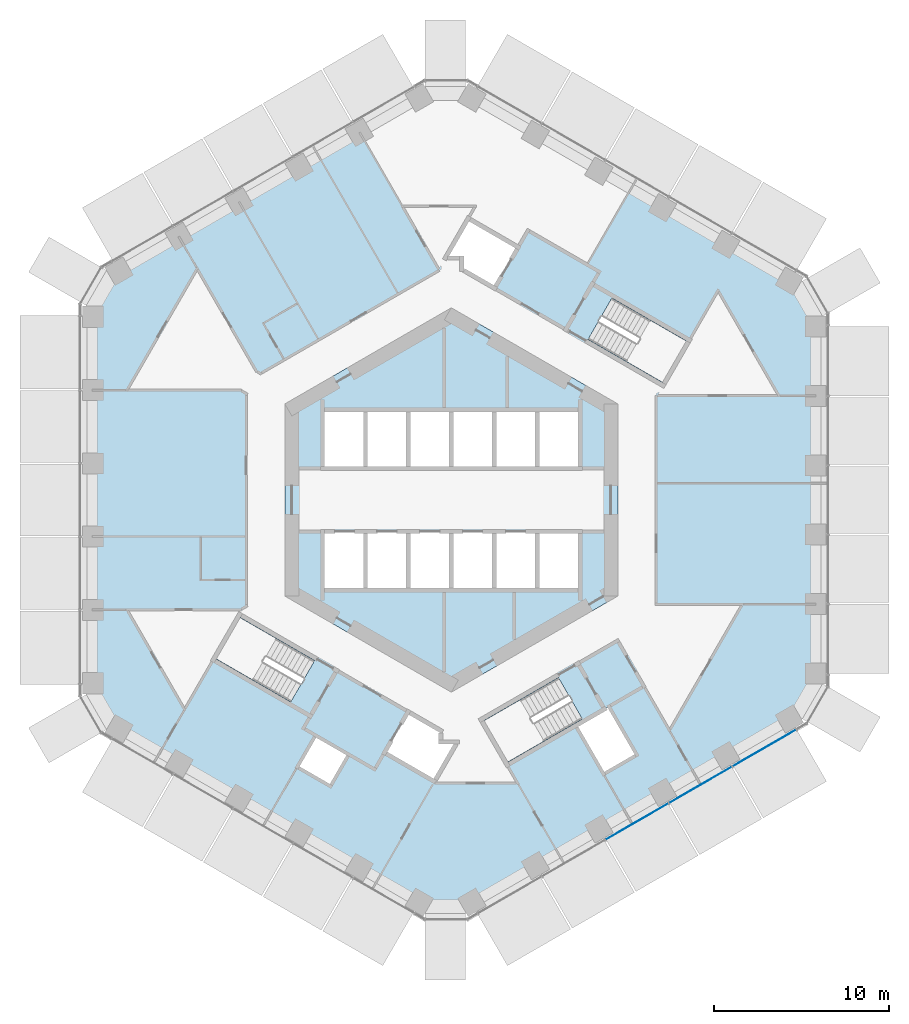
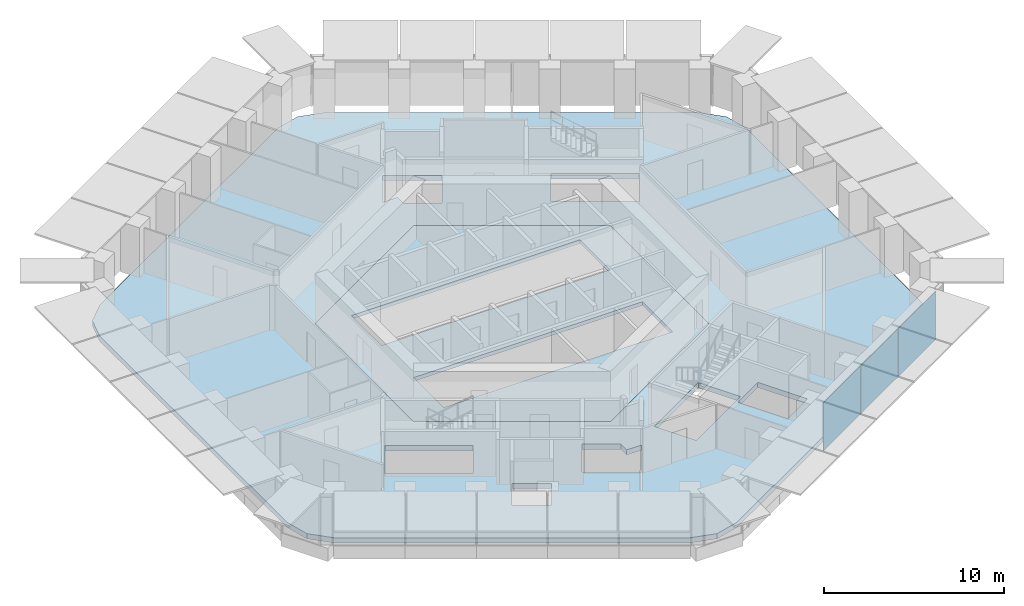
# One storey, part 9 of 19: 3 plates, 2 slabs, 1 element without a shape of its own.
"""IFC4 building model written with IfcOpenShell, lengths in metres."""

import ifcopenshell
import ifcopenshell.guid

model = None  # the IFC model being written
_history = None  # IfcOwnerHistory: only IFC2X3 demands one
_inside = {}  # id of a spatial element -> (the spatial element, [elements in it])
_under = {}  # id of a project, library or spatial element -> (it, [spatial elements below it])
_declared = {}  # id of a project -> (the project, [libraries it declares])
_typed = {}  # id of a type object -> (the type object, [elements of that type])
_made_of = {}  # id of a material, layer set ... -> (it, [elements and type objects made of it])


def new_model(schema):
    """Start an empty IFC model of exactly this schema.

    Asked for "IFC4X3", IfcOpenShell would pick the latest addendum, in which some entities
    have other attributes; the version numbers below select the first issue.
    IFC2X3 requires an IfcOwnerHistory on every rooted entity: one is made here for all.
    """
    global model, _history
    if schema == "IFC4X3":
        model = ifcopenshell.file(schema_version=(4, 3, 0, 0))
    else:
        model = ifcopenshell.file(schema=schema)
    _inside.clear()
    _under.clear()
    _declared.clear()
    _typed.clear()
    _made_of.clear()
    _history = None
    if model.schema == "IFC2X3":
        org = make("IfcOrganization", Name="unknown")
        user = make(
            "IfcPersonAndOrganization",
            ThePerson=make("IfcPerson", FamilyName="unknown"),
            TheOrganization=org,
        )
        app = make(
            "IfcApplication",
            ApplicationDeveloper=org,
            Version="unknown",
            ApplicationFullName="unknown",
            ApplicationIdentifier="unknown",
        )
        _history = make(
            "IfcOwnerHistory",
            OwningUser=user,
            OwningApplication=app,
            ChangeAction="ADDED",
            CreationDate=0,
        )
    return model


def make(cls, **values):
    """One entity of the class cls with the attributes given. An attribute that is None is left unset."""
    return model.create_entity(
        cls, **{name: value for name, value in values.items() if value is not None}
    )


def rooted(cls, **values):
    """An entity with a GlobalId (a new one), such as an element, a storey or a relation."""
    return make(cls, GlobalId=ifcopenshell.guid.new(), OwnerHistory=_history, **values)


def si_unit(unit_type, name, prefix=None):
    """IfcSIUnit, for example si_unit("LENGTHUNIT", "METRE", prefix="MILLI")."""
    return make("IfcSIUnit", UnitType=unit_type, Prefix=prefix, Name=name)


def assignment(units):
    """IfcUnitAssignment: the units of a project."""
    return None if units is None else make("IfcUnitAssignment", Units=units)


def point(xyz):
    """IfcCartesianPoint."""
    return None if xyz is None else make("IfcCartesianPoint", Coordinates=xyz)


def direction(xyz):
    """IfcDirection."""
    return None if xyz is None else make("IfcDirection", DirectionRatios=xyz)


def frame(location, z_axis=None, x_axis=None):
    """IfcAxis2Placement3D, a coordinate frame: its origin and axes. An axis left out is left unset."""
    return make(
        "IfcAxis2Placement3D",
        Location=point(location),
        Axis=direction(z_axis),
        RefDirection=direction(x_axis),
    )


def frame_2d(location, x_axis=None):
    """IfcAxis2Placement2D, a coordinate frame in the plane: its origin and x axis."""
    return make(
        "IfcAxis2Placement2D", Location=point(location), RefDirection=direction(x_axis)
    )


def origin():
    """The frame at (0, 0, 0) with its axes left unset."""
    return frame((0.0, 0.0, 0.0))


def origin_2d():
    """The frame at (0, 0) in the plane with its x axis left unset."""
    return frame_2d((0.0, 0.0))


def place(relative_to, where):
    """IfcLocalPlacement: puts the frame where relative to a parent placement (None: the world)."""
    return make(
        "IfcLocalPlacement", PlacementRelTo=relative_to, RelativePlacement=where
    )


def context(
    kind, dimensions, precision=None, world=None, true_north=None, identifier=None
):
    """IfcGeometricRepresentationContext, for example the 3D "Model" context."""
    return make(
        "IfcGeometricRepresentationContext",
        ContextIdentifier=identifier,
        ContextType=kind,
        CoordinateSpaceDimension=dimensions,
        Precision=precision,
        WorldCoordinateSystem=world,
        TrueNorth=true_north,
    )


def subcontext(parent, identifier, kind, view, scale=None):
    """IfcGeometricRepresentationSubContext, for example "Body" below "Model"."""
    return make(
        "IfcGeometricRepresentationSubContext",
        ContextIdentifier=identifier,
        ContextType=kind,
        ParentContext=parent,
        TargetScale=scale,
        TargetView=view,
    )


def project(units=None, contexts=None):
    """IfcProject with its units and contexts."""
    return rooted(
        "IfcProject",
        Name="project",
        RepresentationContexts=contexts,
        UnitsInContext=assignment(units),
    )


def spatial(cls, under=None, at=None, **own):
    """A site, building, storey or space (cls), placed at a placement, below another one or the project."""
    s = rooted(cls, ObjectPlacement=at, **own)
    if under is not None:
        _under.setdefault(under.id(), (under, []))[1].append(s)
    return s


def polyline(points):
    """IfcPolyline through the points."""
    return make("IfcPolyline", Points=[point(p) for p in points])


def profile(cls, at=None, kind="AREA", **sizes):
    """A parametric profile (cls). Its sizes go by their IFC names, for example OverallWidth=200.0."""
    return make(cls, ProfileType=kind, Position=at, **sizes)


def rectangle(**sizes):
    """IfcRectangleProfileDef."""
    return profile("IfcRectangleProfileDef", **sizes)


def outline(outer, holes=None, kind="AREA"):
    """IfcArbitraryClosedProfileDef: a profile drawn as a closed curve; with holes, ...WithVoids."""
    if holes is None:
        return make("IfcArbitraryClosedProfileDef", ProfileType=kind, OuterCurve=outer)
    return make(
        "IfcArbitraryProfileDefWithVoids",
        ProfileType=kind,
        OuterCurve=outer,
        InnerCurves=holes,
    )


def extrude(swept, where, along, depth):
    """IfcExtrudedAreaSolid: the profile swept, set in the frame where, extruded along a direction by depth."""
    return make(
        "IfcExtrudedAreaSolid",
        SweptArea=swept,
        Position=where,
        ExtrudedDirection=direction(along),
        Depth=depth,
    )


def shape(context_of_items, identifier, shape_type, items):
    """IfcShapeRepresentation: the items that make up one representation, for example the "Body"."""
    return make(
        "IfcShapeRepresentation",
        ContextOfItems=context_of_items,
        RepresentationIdentifier=identifier,
        RepresentationType=shape_type,
        Items=items,
    )


def material(Name=None, Category=None):
    """IfcMaterial."""
    return make("IfcMaterial", Name=Name, Category=Category)


def layer(
    of_material, thickness, ventilated=None, Name=None, Category=None, Priority=None
):
    """IfcMaterialLayer: one layer of a wall or slab, of a material (None: an air gap)."""
    return make(
        "IfcMaterialLayer",
        Material=of_material,
        LayerThickness=thickness,
        IsVentilated=ventilated,
        Name=Name,
        Category=Category,
        Priority=Priority,
    )


def layer_set(layers, Name=None):
    """IfcMaterialLayerSet."""
    return make("IfcMaterialLayerSet", MaterialLayers=layers, LayerSetName=Name)


def made_of(thing, what):
    """Note that an element or type object is made of a material, layer set ...; save() writes the relation."""
    if what is not None:
        _made_of.setdefault(what.id(), (what, []))[1].append(thing)
    return thing


def type_object(cls, material=None, **own):
    """A type object (cls), such as IfcWallType, which elements share."""
    return made_of(rooted(cls, **own), material)


def element(
    cls,
    number,
    at=None,
    inside=None,
    cuts=None,
    type_object=None,
    material=None,
    context=None,
    identifier="Body",
    shape_type=None,
    held_by="IfcProductDefinitionShape",
    body=None,
    shapes=None,
    **own,
):
    """One element of the class cls, such as IfcWall. Its Tag is "e" and its number.

    at: its placement. inside: the storey or other place that contains it. cuts: it is an
    opening in that element (IfcRelVoidsElement). A single representation is given by context,
    identifier, shape_type and body (its items); several are given by shapes. held_by: the class
    of the entity that holds the representations. save() writes the other relations.
    """
    e = rooted(cls, Tag="e%d" % number, ObjectPlacement=at, **own)
    if body is not None:
        shapes = [shape(context, identifier, shape_type, body)]
    if shapes is not None:
        e.Representation = make(held_by, Representations=shapes)
    if inside is not None:
        _inside.setdefault(inside.id(), (inside, []))[1].append(e)
    if cuts is not None:
        rooted(
            "IfcRelVoidsElement", RelatingBuildingElement=cuts, RelatedOpeningElement=e
        )
    if type_object is not None:
        _typed.setdefault(type_object.id(), (type_object, []))[1].append(e)
    return made_of(e, material)


def aggregate(whole, parts):
    """IfcRelAggregates: a whole, such as a stair, and the parts it consists of."""
    return rooted("IfcRelAggregates", RelatingObject=whole, RelatedObjects=parts)


def save(model, path):
    """Write the relations noted so far, then the file.

    IfcRelAggregates (storeys below a building ...), IfcRelContainedInSpatialStructure (elements
    in a storey), IfcRelDefinesByType, IfcRelAssociatesMaterial and IfcRelDeclares: one each for
    every whole, place, type object, material and project.
    """
    for whole, parts in _under.values():
        aggregate(whole, parts)
    for where, things in _inside.values():
        rooted(
            "IfcRelContainedInSpatialStructure",
            RelatedElements=things,
            RelatingStructure=where,
        )
    for kind, things in _typed.values():
        rooted("IfcRelDefinesByType", RelatedObjects=things, RelatingType=kind)
    for what, things in _made_of.values():
        rooted("IfcRelAssociatesMaterial", RelatedObjects=things, RelatingMaterial=what)
    for by, libraries in _declared.values():
        rooted("IfcRelDeclares", RelatingContext=by, RelatedDefinitions=libraries)
    model.write(path)


model = new_model("IFC4")

# Units and contexts
model_context = context("Model", 3, precision=1e-05, world=origin(), true_north=direction((0.0, 1.0)))
body_context = subcontext(model_context, "Body", "Model", "MODEL_VIEW")
ifc_project = project(units=[si_unit("LENGTHUNIT", "METRE"), si_unit("AREAUNIT", "SQUARE_METRE"), si_unit("VOLUMEUNIT", "CUBIC_METRE"), si_unit("PLANEANGLEUNIT", "RADIAN"), si_unit("MASSUNIT", "GRAM", prefix="KILO")], contexts=[model_context])

# Site, building, storey
site_placement = place(None, origin())
site = spatial("IfcSite", under=ifc_project, at=site_placement, CompositionType="ELEMENT")
building_placement = place(site_placement, origin())
building = spatial("IfcBuilding", under=site, at=building_placement, Name="Ayvan Gate Tower", CompositionType="ELEMENT")
storey_placement = place(building_placement, frame((0.0, 0.0, 42.5)))
storey = spatial("IfcBuildingStorey", under=building, at=storey_placement, Name="L10", CompositionType="ELEMENT", Elevation=42.5)

# Slabs
ifc_material_1 = material(Name="Concrete C40/50", Category="concrete")
ifc_layer_1 = layer(ifc_material_1, 0.35009765625)
ifc_layer_set_1 = layer_set([ifc_layer_1], Name="Concrete C40/50")
slab_type_1 = type_object("IfcSlabType", Name="Post-tensioned flat slab 350", PredefinedType="FLOOR", material=ifc_layer_set_1)
slab_1_placement = place(storey_placement, frame((0.0, 0.0, -0.35009765625)))
element("IfcSlab", 1, at=slab_1_placement, inside=storey, type_object=slab_type_1, Name="SL-L10", PredefinedType="FLOOR", context=body_context, shape_type="SweptSolid", body=[
    extrude(outline(polyline([(-1.796630859375, -22.962646484375), (-18.98779296875, -13.037353515625), (-20.0859375, -11.939208984375), (-20.48779296875, -10.439208984375), (-20.48779296875, 10.439208984375), (-20.0859375, 11.939208984375), (-18.98779296875, 13.037353515625), (-1.796630859375, 22.962646484375), (-0.296630859375, 23.364501953125), (1.203369140625, 22.962646484375), (19.28466796875, 12.5234375), (20.382568359375, 11.42529296875), (20.78466796875, 9.92529296875), (20.78466796875, -9.92529296875), (20.382568359375, -11.42529296875), (19.28466796875, -12.5234375), (1.203369140625, -22.962646484375), (-0.296630859375, -23.364501953125), (-1.796630859375, -22.962646484375)]), holes=[polyline([(9.1611328125, 11.517578125), (7.80615234375, 9.170654296875), (12.049560546875, 6.720458984375), (13.404541015625, 9.0673828125), (9.1611328125, 11.517578125)]), polyline([(10.595458984375, -14.5517578125), (8.995361328125, -11.780517578125), (8.735595703125, -11.9306640625), (7.090087890625, -12.880615234375), (8.521484375, -15.359619140625), (8.690185546875, -15.65185546875), (10.595458984375, -14.5517578125)]), polyline([(-9.5, 5.48486328125), (-9.5, -5.48486328125), (0.0, -10.9697265625), (9.5, -5.48486328125), (9.5, 5.48486328125), (0.0, 10.9697265625), (-9.5, 5.48486328125)]), polyline([(7.472412109375, -12.492431640625), (6.117431640625, -10.1455078125), (1.873779296875, -12.595458984375), (3.228759765625, -14.9423828125), (7.472412109375, -12.492431640625)]), polyline([(3.822509765625, 14.420654296875), (0.964599609375, 16.07080078125), (-0.340576171875, 13.81005859375), (0.60009765625, 13.81005859375), (0.60009765625, 13.16357421875), (2.472412109375, 12.08251953125), (3.822509765625, 14.420654296875)]), polyline([(-0.60009765625, -13.81005859375), (-0.60009765625, -13.16357421875), (-2.472412109375, -12.08251953125), (-3.822509765625, -14.420654296875), (-0.964599609375, -16.07080078125), (0.340576171875, -13.81005859375), (-0.60009765625, -13.81005859375)]), polyline([(-8.800048828125, -15.241943359375), (-6.894775390625, -16.342041015625), (-5.8447265625, -14.5234375), (-7.75, -13.42333984375), (-8.800048828125, -15.241943359375)]), polyline([(-12.049560546875, -6.720458984375), (-13.404541015625, -9.0673828125), (-9.1611328125, -11.517578125), (-7.80615234375, -9.170654296875), (-12.049560546875, -6.720458984375)])]), origin(), (0.0, 0.0, 1.0), 0.35009765625),
])
ifc_layer_2 = layer(ifc_material_1, 0.25)
ifc_layer_set_2 = layer_set([ifc_layer_2], Name="Concrete C40/50")
slab_type_2 = type_object("IfcSlabType", Name="SL-CORE-250", PredefinedType="FLOOR", material=ifc_layer_set_2)
slab_2_placement = place(storey_placement, frame((0.0, 0.0, -0.25)))
element("IfcSlab", 2, at=slab_2_placement, inside=storey, type_object=slab_type_2, Name="CS-L10", PredefinedType="FLOOR", context=body_context, shape_type="SweptSolid", body=[
    extrude(outline(polyline([(9.5, -5.48486328125), (0.0, -10.9697265625), (-9.5, -5.48486328125), (-9.5, 5.48486328125), (0.0, 10.9697265625), (9.5, 5.48486328125), (9.5, -5.48486328125)]), holes=[polyline([(-7.35009765625, -1.800048828125), (-7.35009765625, -5.14990234375), (7.35009765625, -5.14990234375), (7.35009765625, -1.800048828125), (-7.35009765625, -1.800048828125)]), polyline([(-7.35009765625, 5.14990234375), (-7.35009765625, 1.800048828125), (7.35009765625, 1.800048828125), (7.35009765625, 5.14990234375), (-7.35009765625, 5.14990234375)])]), origin(), (0.0, 0.0, 1.0), 0.25),
])

# Curtain wall, plates
ifc_material_2 = material(Name="Bronze anodised aluminium", Category="aluminium")
ifc_layer_3 = layer(ifc_material_2, 0.199951171875)
ifc_layer_set_3 = layer_set([ifc_layer_3], Name="Bronze anodised aluminium")
curtain_wall_type = type_object("IfcCurtainWallType", Name="Stick curtain wall CW-1", PredefinedType="NOTDEFINED", material=ifc_layer_set_3)
curtain_wall_placement = place(storey_placement, origin())
curtain_wall = element("IfcCurtainWall", 3, at=curtain_wall_placement, inside=storey, type_object=curtain_wall_type, Name="Stick curtain wall CW-1 L10", PredefinedType="NOTDEFINED")
ifc_material_3 = material(Name="Clear low-iron laminated glass", Category="glass")
ifc_layer_4 = layer(ifc_material_3, 0.028076171875)
ifc_layer_set_4 = layer_set([ifc_layer_4], Name="Clear low-iron laminated glass")
plate_type = type_object("IfcPlateType", Name="Stick curtain wall CW-1 glass panel", PredefinedType="CURTAIN_PANEL", material=ifc_layer_set_4)
plate_1_placement = place(storey_placement, frame((10.593994140625, -18.34912109375, 0.0), z_axis=(0.0, 0.0, 1.0), x_axis=(0.866025403784, 0.5, 0.0)))
plate_1 = element("IfcPlate", 4, at=plate_1_placement, type_object=plate_type, Name="CW-1 glass panel 3", PredefinedType="CURTAIN_PANEL", context=body_context, shape_type="SweptSolid", body=[
    extrude(rectangle(XDim=4.123046875, YDim=0.028076171875, at=origin_2d()), origin(), (0.0, 0.0, 1.0), 3.280029296875),
])
plate_2_placement = place(storey_placement, frame((14.216064453125, -16.258056640625, 0.0), z_axis=(0.0, 0.0, 1.0), x_axis=(0.866025403784, 0.5, 0.0)))
plate_2 = element("IfcPlate", 5, at=plate_2_placement, type_object=plate_type, Name="CW-1 glass panel 4", PredefinedType="CURTAIN_PANEL", context=body_context, shape_type="SweptSolid", body=[
    extrude(rectangle(XDim=4.1220703125, YDim=0.028076171875, at=origin_2d()), origin(), (0.0, 0.0, 1.0), 3.280029296875),
])
plate_3_placement = place(storey_placement, frame((17.87060546875, -14.14794921875, 0.0), z_axis=(0.0, 0.0, 1.0), x_axis=(0.866025403784, 0.5, 0.0)))
plate_3 = element("IfcPlate", 6, at=plate_3_placement, type_object=plate_type, Name="CW-1 glass panel 5", PredefinedType="CURTAIN_PANEL", context=body_context, shape_type="SweptSolid", body=[
    extrude(rectangle(XDim=4.19775390625, YDim=0.028076171875, at=origin_2d()), origin(), (0.0, 0.0, 1.0), 3.280029296875),
])
aggregate(curtain_wall, [plate_1, plate_2, plate_3])

save(model, "model.ifc")
